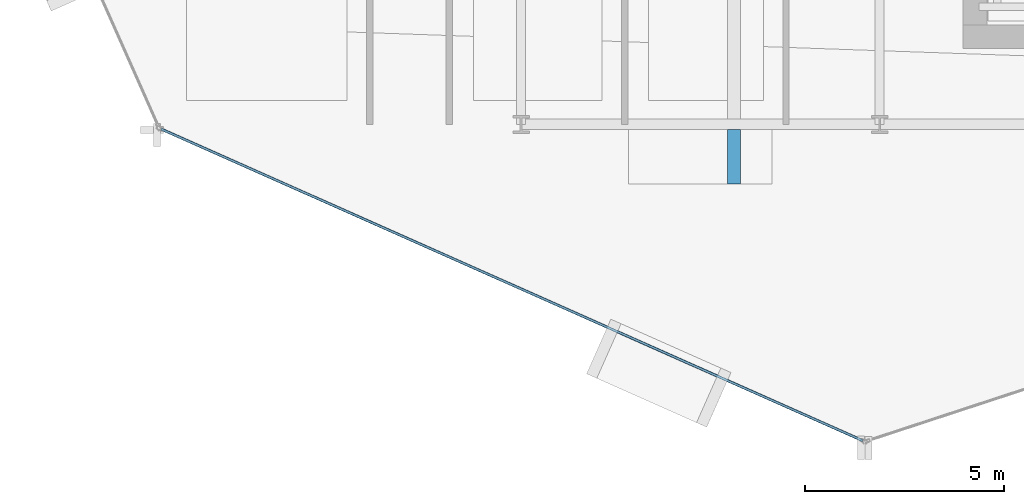
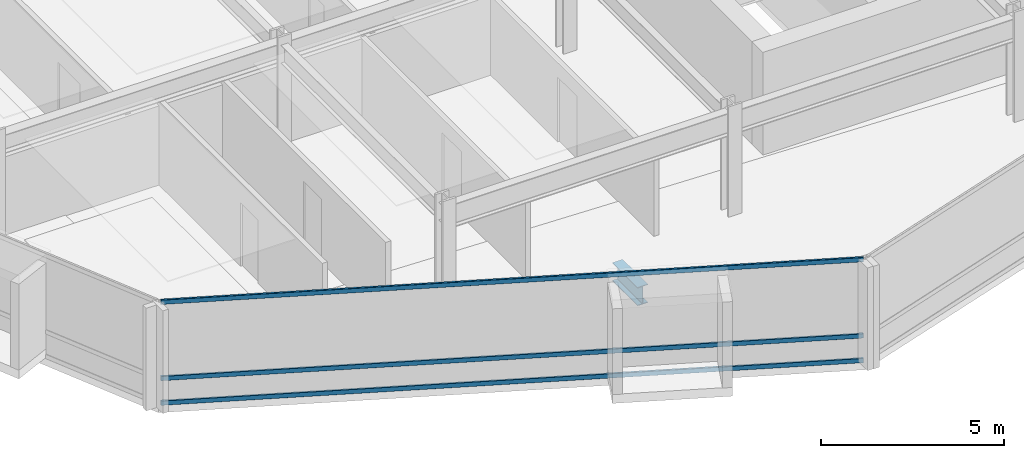
# One storey, part 3 of 29: 3 members, 1 beam, 1 element without a shape of its own.
"""IFC4 building model written with IfcOpenShell, lengths in metres."""

from ifc_helpers import new_model, si_unit, direction, frame, origin, origin_2d, place, context, subcontext, project, spatial, hollow_rectangle, i_section, extrude, material, layer, layer_set, material_profile, profile_set, type_object, element, aggregate, save


model = new_model("IFC4")

# Units and contexts
model_context = context("Model", 3, precision=1e-05, world=origin(), true_north=direction((0.0, 1.0)))
body_context = subcontext(model_context, "Body", "Model", "MODEL_VIEW")
ifc_project = project(units=[si_unit("LENGTHUNIT", "METRE"), si_unit("AREAUNIT", "SQUARE_METRE"), si_unit("VOLUMEUNIT", "CUBIC_METRE"), si_unit("PLANEANGLEUNIT", "RADIAN"), si_unit("MASSUNIT", "GRAM", prefix="KILO")], contexts=[model_context])

# Site, building, storey
site_placement = place(None, origin())
site = spatial("IfcSite", under=ifc_project, at=site_placement, CompositionType="ELEMENT")
building_placement = place(site_placement, origin())
building = spatial("IfcBuilding", under=site, at=building_placement, Name="Solvaryn Broadcast Tower", CompositionType="ELEMENT")
storey_placement = place(building_placement, frame((0.0, 0.0, 124.800048828125)))
storey = spatial("IfcBuildingStorey", under=building, at=storey_placement, Name="L30", CompositionType="ELEMENT", Elevation=124.800048828125)

# Beam
ifc_material_1 = material(Name="Steel ASTM A992 Grade 50", Category="steel")
ifc_material_profile_1 = material_profile(ifc_material_1, i_section(OverallWidth=0.323974609375, OverallDepth=0.611083984375, WebThickness=0.0126953125, FlangeThickness=0.01904296875, FilletRadius=0.014892578125, at=origin_2d()))
ifc_profile_set_1 = profile_set([ifc_material_profile_1], Name="Steel ASTM A992 Grade 50")
beam_type = type_object("IfcBeamType", Name="BM-CANT-TER", PredefinedType="BEAM", material=ifc_profile_set_1)
beam_placement = place(storey_placement, frame((23.35009765625, 8.875, -0.58544921875), z_axis=(0.0, -1.0, 0.0), x_axis=(1.0, 0.0, 0.0)))
element("IfcBeam", 1, at=beam_placement, inside=storey, type_object=beam_type, Name="L30 Bay-Box Cantilever Bracket 1", PredefinedType="BEAM", context=body_context, shape_type="SweptSolid", body=[
    extrude(i_section(OverallWidth=0.323974609375, OverallDepth=0.611083984375, WebThickness=0.0126953125, FlangeThickness=0.01904296875, FilletRadius=0.014892578125, at=origin_2d()), origin(), (0.0, 0.0, 1.0), 1.375),
])

# Curtain wall, members
ifc_material_2 = material(Name="Aluminium and Terracotta Unitised Curtain Wall", Category="masonry")
ifc_layer = layer(ifc_material_2, 0.199951171875)
ifc_layer_set = layer_set([ifc_layer], Name="CW-SYS2-LOWMID")
curtain_wall_type = type_object("IfcCurtainWallType", Name="CW-SYS2-LOWMID", PredefinedType="NOTDEFINED", material=ifc_layer_set)
curtain_wall_placement = place(storey_placement, origin())
curtain_wall = element("IfcCurtainWall", 2, at=curtain_wall_placement, inside=storey, type_object=curtain_wall_type, Name="L30 Curtain Wall DR3", PredefinedType="NOTDEFINED")
ifc_material_3 = material(Name="Anodised Aluminium 6063-T6", Category="aluminium")
ifc_material_profile_2 = material_profile(ifc_material_3, hollow_rectangle(XDim=0.06494140625, YDim=0.14990234375, WallThickness=0.00390625, InnerFilletRadius=0.00390625, OuterFilletRadius=0.008056640625, at=origin_2d()))
ifc_profile_set_2 = profile_set([ifc_material_profile_2], Name="Anodised Aluminium 6063-T6")
member_type = type_object("IfcMemberType", Name="CW-TRN-150", PredefinedType="USERDEFINED", material=ifc_profile_set_2)
member_1_placement = place(storey_placement, frame((8.962890625, 8.883544921875, 0.030029296875), z_axis=(0.913909703223, -0.405917546252, 0.0), x_axis=(0.405917546252, 0.913909703223, 0.0)))
member_1 = element("IfcMember", 3, at=member_1_placement, type_object=member_type, Name="CWS2 transom 1.1", ObjectType="TRANSOM", PredefinedType="USERDEFINED", context=body_context, shape_type="SweptSolid", body=[
    extrude(hollow_rectangle(XDim=0.06494140625, YDim=0.14990234375, WallThickness=0.00390625, InnerFilletRadius=0.00390625, OuterFilletRadius=0.008056640625, at=origin_2d()), origin(), (0.0, 0.0, 1.0), 19.27783203125),
])
member_2_placement = place(storey_placement, frame((8.962890625, 8.883544921875, 0.849853515625), z_axis=(0.913909703223, -0.405917546252, 0.0), x_axis=(0.405917546252, 0.913909703223, 0.0)))
member_2 = element("IfcMember", 4, at=member_2_placement, type_object=member_type, Name="CWS2 transom 1.2", ObjectType="TRANSOM", PredefinedType="USERDEFINED", context=body_context, shape_type="SweptSolid", body=[
    extrude(hollow_rectangle(XDim=0.06494140625, YDim=0.14990234375, WallThickness=0.00390625, InnerFilletRadius=0.00390625, OuterFilletRadius=0.008056640625, at=origin_2d()), origin(), (0.0, 0.0, 1.0), 19.27783203125),
])
member_3_placement = place(storey_placement, frame((8.962890625, 8.883544921875, 3.389892578125), z_axis=(0.913909703223, -0.405917546252, 0.0), x_axis=(0.405917546252, 0.913909703223, 0.0)))
member_3 = element("IfcMember", 5, at=member_3_placement, type_object=member_type, Name="CWS2 transom 1.3", ObjectType="TRANSOM", PredefinedType="USERDEFINED", context=body_context, shape_type="SweptSolid", body=[
    extrude(hollow_rectangle(XDim=0.06494140625, YDim=0.14990234375, WallThickness=0.00390625, InnerFilletRadius=0.00390625, OuterFilletRadius=0.008056640625, at=origin_2d()), origin(), (0.0, 0.0, 1.0), 19.27783203125),
])
aggregate(curtain_wall, [member_1, member_2, member_3])

save(model, "model.ifc")
